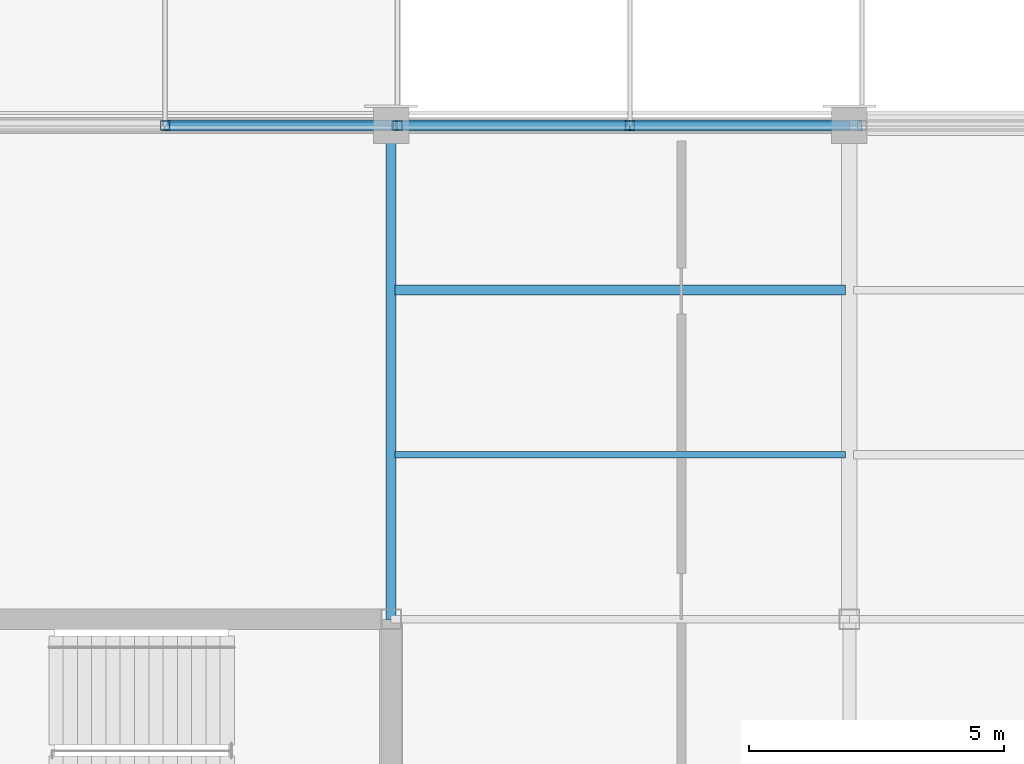
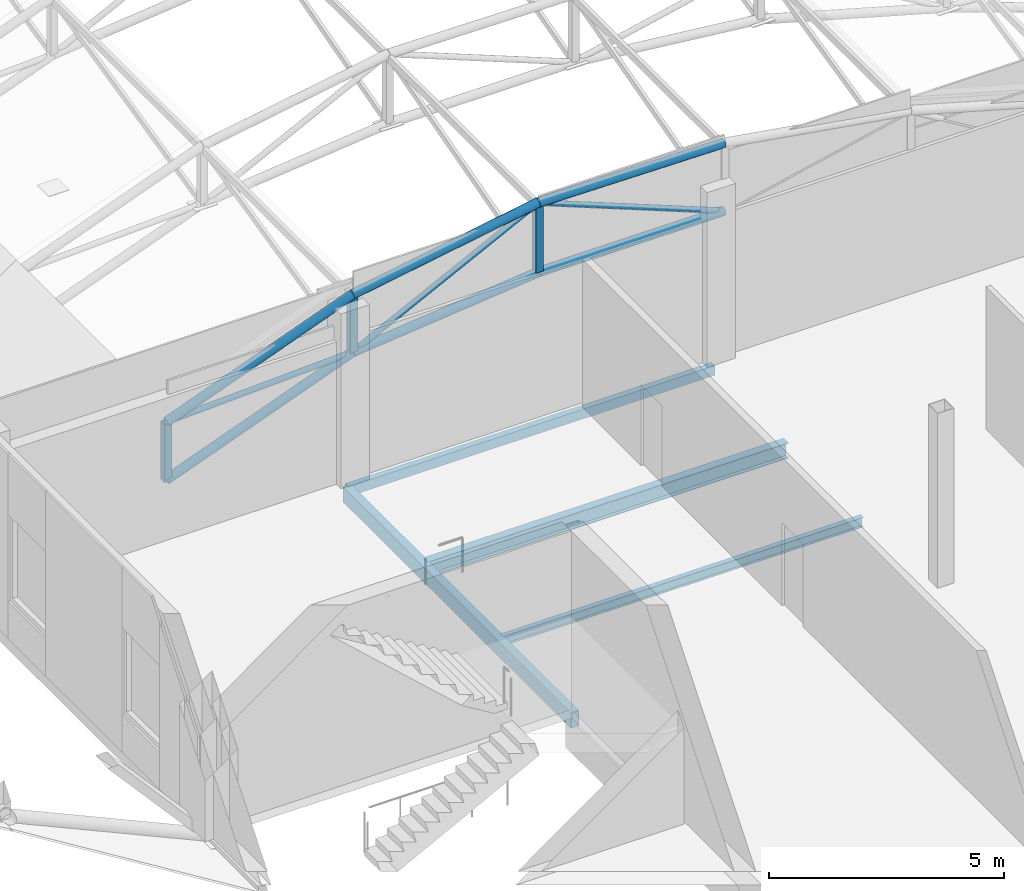
# One storey, part 49 of 101: 12 members, 4 beams.
"""IFC4 building model written with IfcOpenShell, lengths in metres."""

from ifc_helpers import new_model, si_unit, direction, frame, origin, origin_2d, place, context, subcontext, project, spatial, hollow_rectangle, hollow_circle, i_section, extrude, material, material_profile, profile_set, type_object, element, save


model = new_model("IFC4")

# Units and contexts
model_context = context("Model", 3, precision=1e-05, world=origin(), true_north=direction((0.0, 1.0)))
body_context = subcontext(model_context, "Body", "Model", "MODEL_VIEW")
ifc_project = project(units=[si_unit("LENGTHUNIT", "METRE"), si_unit("AREAUNIT", "SQUARE_METRE"), si_unit("VOLUMEUNIT", "CUBIC_METRE"), si_unit("PLANEANGLEUNIT", "RADIAN"), si_unit("MASSUNIT", "GRAM", prefix="KILO")], contexts=[model_context])

# Site, building, storey
site_placement = place(None, origin())
site = spatial("IfcSite", under=ifc_project, at=site_placement, CompositionType="ELEMENT")
building_placement = place(site_placement, origin())
building = spatial("IfcBuilding", under=site, at=building_placement, Name="Solvikara Media Centre", CompositionType="ELEMENT")
storey_placement = place(building_placement, frame((0.0, 0.0, 10.199951171875)))
storey = spatial("IfcBuildingStorey", under=building, at=storey_placement, Name="L02", CompositionType="ELEMENT", Elevation=10.199951171875)

# Beams
ifc_material = material(Name="Steel S355JR", Category="steel")
ifc_material_profile_1 = material_profile(ifc_material, i_section(OverallWidth=0.199951171875, OverallDepth=0.39990234375, WebThickness=0.008056640625, FlangeThickness=0.012939453125, at=origin_2d()), Name="WF 400x200x8x13")
ifc_profile_set_1 = profile_set([ifc_material_profile_1], Name="Steel S355JR")
beam_type_1 = type_object("IfcBeamType", Name="BM-21", PredefinedType="JOIST", material=ifc_profile_set_1)
beam_1_placement = place(storey_placement, frame((136.577880859375, 43.26708984375, -0.44189453125), z_axis=(1.0, 0.0, 0.0), x_axis=(0.0, 1.0, 0.0)))
element("IfcBeam", 1, at=beam_1_placement, inside=storey, type_object=beam_type_1, Name="J-L02-1129", PredefinedType="JOIST", context=body_context, shape_type="SweptSolid", body=[
    extrude(i_section(OverallWidth=0.199951171875, OverallDepth=0.39990234375, WebThickness=0.008056640625, FlangeThickness=0.012939453125, at=origin_2d()), origin(), (0.0, 0.0, 1.0), 8.84423828125),
])
ifc_material_profile_2 = material_profile(ifc_material, hollow_rectangle(XDim=0.199951171875, YDim=0.39990234375, WallThickness=0.011962890625, at=origin_2d()), Name="RHS 400x200x12")
ifc_profile_set_2 = profile_set([ifc_material_profile_2], Name="Steel S355JR")
beam_type_2 = type_object("IfcBeamType", Name="BM-33", PredefinedType="SPANDREL", material=ifc_profile_set_2)
beam_2_placement = place(storey_placement, frame((136.5, 36.800048828125, -0.44189453125), z_axis=(0.0, 1.0, 0.0), x_axis=(-1.0, 0.0, 0.0)))
element("IfcBeam", 2, at=beam_2_placement, inside=storey, type_object=beam_type_2, Name="B-L02-Y0987", PredefinedType="SPANDREL", context=body_context, shape_type="SweptSolid", body=[
    extrude(hollow_rectangle(XDim=0.199951171875, YDim=0.39990234375, WallThickness=0.011962890625, at=origin_2d()), origin(), (0.0, 0.0, 1.0), 9.699951171875),
])
ifc_material_profile_3 = material_profile(ifc_material, hollow_rectangle(XDim=0.14990234375, YDim=0.25, WallThickness=0.008056640625, at=origin_2d()), Name="RHS 250x150x8")
ifc_profile_set_3 = profile_set([ifc_material_profile_3], Name="Steel S355JR")
beam_type_3 = type_object("IfcBeamType", Name="BM-36", PredefinedType="JOIST", material=ifc_profile_set_3)
beam_3_placement = place(storey_placement, frame((136.5, 46.5, -0.366943359375), z_axis=(1.0, 0.0, 0.0), x_axis=(0.0, 1.0, 0.0)))
element("IfcBeam", 3, at=beam_3_placement, inside=storey, type_object=beam_type_3, Name="B-L02-X0870", PredefinedType="JOIST", context=body_context, shape_type="SweptSolid", body=[
    extrude(hollow_rectangle(XDim=0.14990234375, YDim=0.25, WallThickness=0.008056640625, at=origin_2d()), origin(), (0.0, 0.0, 1.0), 9.0),
])
ifc_material_profile_4 = material_profile(ifc_material, i_section(OverallWidth=0.1240234375, OverallDepth=0.248046875, WebThickness=0.0048828125, FlangeThickness=0.008056640625, at=origin_2d()), Name="WF 248x124x5x8")
ifc_profile_set_4 = profile_set([ifc_material_profile_4], Name="Steel S355JR")
beam_type_4 = type_object("IfcBeamType", Name="BM-40", PredefinedType="JOIST", material=ifc_profile_set_4)
beam_4_placement = place(storey_placement, frame((136.577880859375, 40.032958984375, -0.365966796875), z_axis=(1.0, 0.0, 0.0), x_axis=(0.0, 1.0, 0.0)))
element("IfcBeam", 4, at=beam_4_placement, inside=storey, type_object=beam_type_4, Name="J-L02-1128", PredefinedType="JOIST", context=body_context, shape_type="SweptSolid", body=[
    extrude(i_section(OverallWidth=0.1240234375, OverallDepth=0.248046875, WebThickness=0.0048828125, FlangeThickness=0.008056640625, at=origin_2d()), origin(), (0.0, 0.0, 1.0), 8.84423828125),
])

# Members
ifc_material_profile_5 = material_profile(ifc_material, hollow_circle(Radius=0.109619140625, WallThickness=0.008056640625, at=origin_2d()), Name="CHS 219.1x8")
ifc_profile_set_5 = profile_set([ifc_material_profile_5], Name="Steel S355JR")
member_type_1 = type_object("IfcMemberType", Name="MB-05", PredefinedType="CHORD", material=ifc_profile_set_5)
for number, where, z_axis, x_axis, name in (
    (5, (132.06201171875, 46.5, 2.9580078125), (0.936407395887, 0.0, 0.350914788699), (0.0, 1.0, 0.0), "BSA-TC-00-01"),
    (6, (132.06201171875, 46.5, 1.4580078125), (0.936407395887, 0.0, 0.350914788699), (0.0, 1.0, 0.0), "BSA-BC-00-01"),
):
    element("IfcMember", number, at=place(storey_placement, frame(where, z_axis=z_axis, x_axis=x_axis)), inside=storey, type_object=member_type_1, Name=name, PredefinedType="CHORD", context=body_context, shape_type="SweptSolid", body=[
        extrude(hollow_circle(Radius=0.109619140625, WallThickness=0.008056640625, at=origin_2d()), origin(), (0.0, 0.0, 1.0), 4.872802734375),
    ])
member_1_placement = place(storey_placement, frame((136.625, 46.5, 4.66796875), z_axis=(0.98541075968, 0.0, 0.170192933775), x_axis=(0.0, 1.0, 0.0)))
element("IfcMember", 7, at=member_1_placement, inside=storey, type_object=member_type_1, Name="BSA-TC-00-02", PredefinedType="CHORD", context=body_context, shape_type="SweptSolid", body=[
    extrude(hollow_circle(Radius=0.109619140625, WallThickness=0.008056640625, at=origin_2d()), origin(), (0.0, 0.0, 1.0), 4.630615234375),
])
member_2_placement = place(storey_placement, frame((136.625, 46.5, 3.16796875), z_axis=(0.994463096743, 0.0, 0.105086389303), x_axis=(0.0, 1.0, 0.0)))
element("IfcMember", 8, at=member_2_placement, inside=storey, type_object=member_type_1, Name="BSA-BC-00-02", PredefinedType="CHORD", context=body_context, shape_type="SweptSolid", body=[
    extrude(hollow_circle(Radius=0.109619140625, WallThickness=0.008056640625, at=origin_2d()), origin(), (0.0, 0.0, 1.0), 4.58837890625),
])
member_3_placement = place(storey_placement, frame((141.18798828125, 46.5, 5.4560546875), z_axis=(0.999949391899, 0.0, -0.010060499073), x_axis=(0.0, 1.0, 0.0)))
element("IfcMember", 9, at=member_3_placement, inside=storey, type_object=member_type_1, Name="BSA-TC-00-03", PredefinedType="CHORD", context=body_context, shape_type="SweptSolid", body=[
    extrude(hollow_circle(Radius=0.109619140625, WallThickness=0.008056640625, at=origin_2d()), origin(), (0.0, 0.0, 1.0), 4.562255859375),
])
member_4_placement = place(storey_placement, frame((141.18798828125, 46.5, 3.650146484375), z_axis=(1.0, 0.0, 0.0), x_axis=(0.0, 1.0, 0.0)))
element("IfcMember", 10, at=member_4_placement, inside=storey, type_object=member_type_1, Name="BSA-BC-00-03", PredefinedType="CHORD", context=body_context, shape_type="SweptSolid", body=[
    extrude(hollow_circle(Radius=0.109619140625, WallThickness=0.008056640625, at=origin_2d()), origin(), (0.0, 0.0, 1.0), 4.56201171875),
])
ifc_material_profile_6 = material_profile(ifc_material, hollow_circle(Radius=0.06982421875, WallThickness=0.00634765625, at=origin_2d()), Name="CHS 139.7x6.3")
ifc_profile_set_6 = profile_set([ifc_material_profile_6], Name="Steel S355JR")
member_type_2 = type_object("IfcMemberType", Name="MB-08", PredefinedType="BRACE", material=ifc_profile_set_6)
member_5_placement = place(storey_placement, frame((132.06201171875, 46.5, 2.9580078125), z_axis=(0.998943038106, 0.0, 0.045965276232), x_axis=(0.0, 1.0, 0.0)))
element("IfcMember", 11, at=member_5_placement, inside=storey, type_object=member_type_2, Name="BSA-DG-00-01", PredefinedType="BRACE", context=body_context, shape_type="SweptSolid", body=[
    extrude(hollow_circle(Radius=0.06982421875, WallThickness=0.00634765625, at=origin_2d()), origin(), (0.0, 0.0, 1.0), 4.56787109375),
])
member_6_placement = place(storey_placement, frame((136.625, 46.5, 3.16796875), z_axis=(0.893910049242, 0.0, 0.448246387453), x_axis=(0.0, 1.0, 0.0)))
element("IfcMember", 12, at=member_6_placement, inside=storey, type_object=member_type_2, Name="BSA-DG-00-02", PredefinedType="BRACE", context=body_context, shape_type="SweptSolid", body=[
    extrude(hollow_circle(Radius=0.06982421875, WallThickness=0.00634765625, at=origin_2d()), origin(), (0.0, 0.0, 1.0), 5.1044921875),
])
member_7_placement = place(storey_placement, frame((141.18798828125, 46.5, 5.4560546875), z_axis=(0.929798808243, 0.0, -0.368068167857), x_axis=(0.0, 1.0, 0.0)))
element("IfcMember", 13, at=member_7_placement, inside=storey, type_object=member_type_2, Name="BSA-DG-00-03", PredefinedType="BRACE", context=body_context, shape_type="SweptSolid", body=[
    extrude(hollow_circle(Radius=0.06982421875, WallThickness=0.00634765625, at=origin_2d()), origin(), (0.0, 0.0, 1.0), 4.906494140625),
])
ifc_material_profile_7 = material_profile(ifc_material, hollow_rectangle(XDim=0.179931640625, YDim=0.179931640625, WallThickness=0.008056640625, at=origin_2d()), Name="RHS 180x180x8")
ifc_profile_set_7 = profile_set([ifc_material_profile_7], Name="Steel S355JR")
member_type_3 = type_object("IfcMemberType", Name="MB-14", PredefinedType="BRACE", material=ifc_profile_set_7)
for number, where, z_axis, x_axis, name in (
    (14, (132.06201171875, 46.5, 1.4580078125), (0.0, 0.0, 1.0), (1.0, 0.0, 0.0), "BSA-VT-00-01"),
    (15, (136.625, 46.5, 3.16796875), (0.0, 0.0, 1.0), (1.0, 0.0, 0.0), "BSA-VT-00-02"),
):
    element("IfcMember", number, at=place(storey_placement, frame(where, z_axis=z_axis, x_axis=x_axis)), inside=storey, type_object=member_type_3, Name=name, PredefinedType="BRACE", context=body_context, shape_type="SweptSolid", body=[
        extrude(hollow_rectangle(XDim=0.179931640625, YDim=0.179931640625, WallThickness=0.008056640625, at=origin_2d()), origin(), (0.0, 0.0, 1.0), 1.5),
    ])
member_8_placement = place(storey_placement, frame((141.18798828125, 46.5, 3.650146484375), z_axis=(0.0, 0.0, 1.0), x_axis=(1.0, 0.0, 0.0)))
element("IfcMember", 16, at=member_8_placement, inside=storey, type_object=member_type_3, Name="BSA-VT-00-03", PredefinedType="BRACE", context=body_context, shape_type="SweptSolid", body=[
    extrude(hollow_rectangle(XDim=0.179931640625, YDim=0.179931640625, WallThickness=0.008056640625, at=origin_2d()), origin(), (0.0, 0.0, 1.0), 1.805908203125),
])

save(model, "model.ifc")
